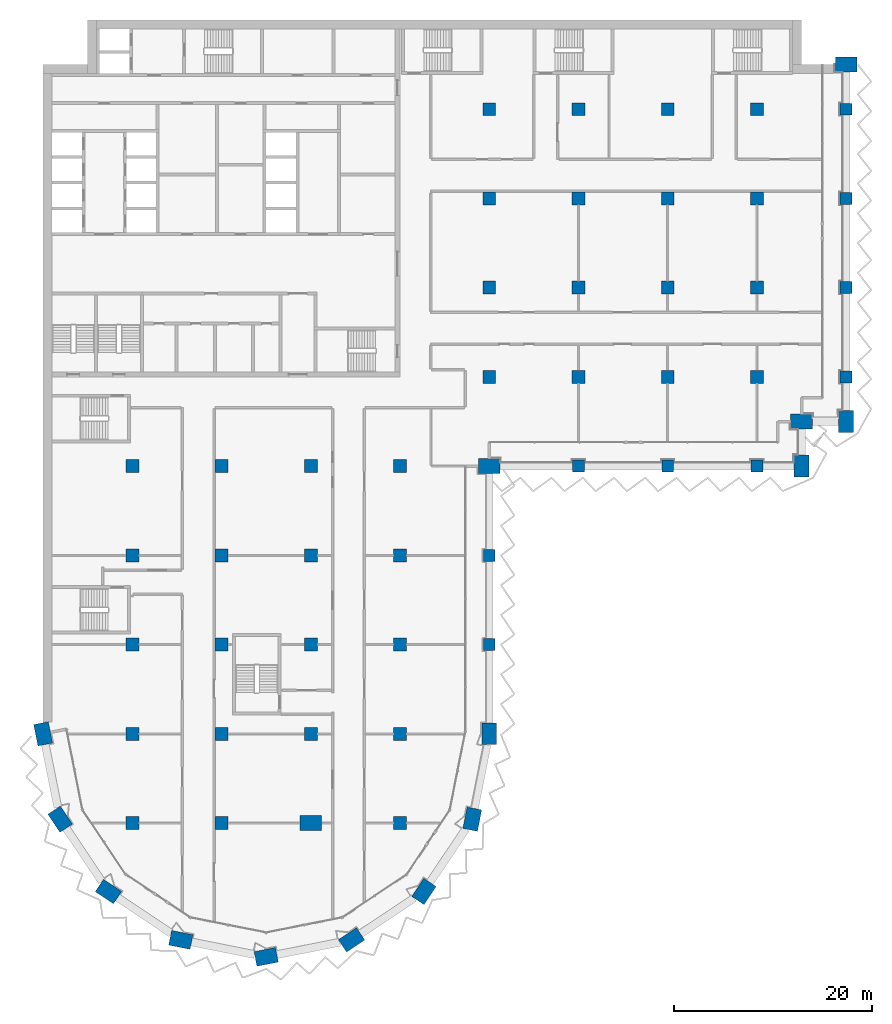
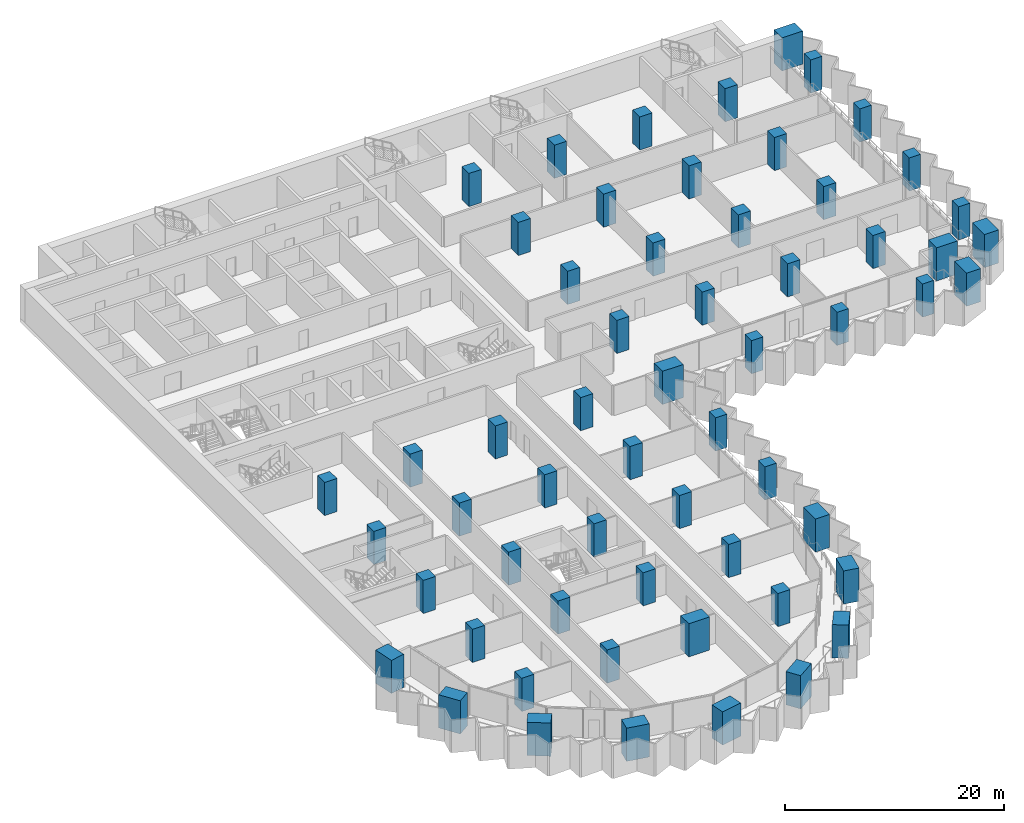
# One storey, part 1 of 22: 59 columns.
"""IFC4 building model written with IfcOpenShell, lengths in metres."""

import ifcopenshell
import ifcopenshell.guid

model = None  # the IFC model being written
_history = None  # IfcOwnerHistory: only IFC2X3 demands one
_inside = {}  # id of a spatial element -> (the spatial element, [elements in it])
_under = {}  # id of a project, library or spatial element -> (it, [spatial elements below it])
_declared = {}  # id of a project -> (the project, [libraries it declares])
_typed = {}  # id of a type object -> (the type object, [elements of that type])
_made_of = {}  # id of a material, layer set ... -> (it, [elements and type objects made of it])


def new_model(schema):
    """Start an empty IFC model of exactly this schema.

    Asked for "IFC4X3", IfcOpenShell would pick the latest addendum, in which some entities
    have other attributes; the version numbers below select the first issue.
    IFC2X3 requires an IfcOwnerHistory on every rooted entity: one is made here for all.
    """
    global model, _history
    if schema == "IFC4X3":
        model = ifcopenshell.file(schema_version=(4, 3, 0, 0))
    else:
        model = ifcopenshell.file(schema=schema)
    _inside.clear()
    _under.clear()
    _declared.clear()
    _typed.clear()
    _made_of.clear()
    _history = None
    if model.schema == "IFC2X3":
        org = make("IfcOrganization", Name="unknown")
        user = make(
            "IfcPersonAndOrganization",
            ThePerson=make("IfcPerson", FamilyName="unknown"),
            TheOrganization=org,
        )
        app = make(
            "IfcApplication",
            ApplicationDeveloper=org,
            Version="unknown",
            ApplicationFullName="unknown",
            ApplicationIdentifier="unknown",
        )
        _history = make(
            "IfcOwnerHistory",
            OwningUser=user,
            OwningApplication=app,
            ChangeAction="ADDED",
            CreationDate=0,
        )
    return model


def make(cls, **values):
    """One entity of the class cls with the attributes given. An attribute that is None is left unset."""
    return model.create_entity(
        cls, **{name: value for name, value in values.items() if value is not None}
    )


def rooted(cls, **values):
    """An entity with a GlobalId (a new one), such as an element, a storey or a relation."""
    return make(cls, GlobalId=ifcopenshell.guid.new(), OwnerHistory=_history, **values)


def si_unit(unit_type, name, prefix=None):
    """IfcSIUnit, for example si_unit("LENGTHUNIT", "METRE", prefix="MILLI")."""
    return make("IfcSIUnit", UnitType=unit_type, Prefix=prefix, Name=name)


def assignment(units):
    """IfcUnitAssignment: the units of a project."""
    return None if units is None else make("IfcUnitAssignment", Units=units)


def point(xyz):
    """IfcCartesianPoint."""
    return None if xyz is None else make("IfcCartesianPoint", Coordinates=xyz)


def direction(xyz):
    """IfcDirection."""
    return None if xyz is None else make("IfcDirection", DirectionRatios=xyz)


def frame(location, z_axis=None, x_axis=None):
    """IfcAxis2Placement3D, a coordinate frame: its origin and axes. An axis left out is left unset."""
    return make(
        "IfcAxis2Placement3D",
        Location=point(location),
        Axis=direction(z_axis),
        RefDirection=direction(x_axis),
    )


def frame_2d(location, x_axis=None):
    """IfcAxis2Placement2D, a coordinate frame in the plane: its origin and x axis."""
    return make(
        "IfcAxis2Placement2D", Location=point(location), RefDirection=direction(x_axis)
    )


def origin():
    """The frame at (0, 0, 0) with its axes left unset."""
    return frame((0.0, 0.0, 0.0))


def origin_2d():
    """The frame at (0, 0) in the plane with its x axis left unset."""
    return frame_2d((0.0, 0.0))


def place(relative_to, where):
    """IfcLocalPlacement: puts the frame where relative to a parent placement (None: the world)."""
    return make(
        "IfcLocalPlacement", PlacementRelTo=relative_to, RelativePlacement=where
    )


def context(
    kind, dimensions, precision=None, world=None, true_north=None, identifier=None
):
    """IfcGeometricRepresentationContext, for example the 3D "Model" context."""
    return make(
        "IfcGeometricRepresentationContext",
        ContextIdentifier=identifier,
        ContextType=kind,
        CoordinateSpaceDimension=dimensions,
        Precision=precision,
        WorldCoordinateSystem=world,
        TrueNorth=true_north,
    )


def subcontext(parent, identifier, kind, view, scale=None):
    """IfcGeometricRepresentationSubContext, for example "Body" below "Model"."""
    return make(
        "IfcGeometricRepresentationSubContext",
        ContextIdentifier=identifier,
        ContextType=kind,
        ParentContext=parent,
        TargetScale=scale,
        TargetView=view,
    )


def project(units=None, contexts=None):
    """IfcProject with its units and contexts."""
    return rooted(
        "IfcProject",
        Name="project",
        RepresentationContexts=contexts,
        UnitsInContext=assignment(units),
    )


def spatial(cls, under=None, at=None, **own):
    """A site, building, storey or space (cls), placed at a placement, below another one or the project."""
    s = rooted(cls, ObjectPlacement=at, **own)
    if under is not None:
        _under.setdefault(under.id(), (under, []))[1].append(s)
    return s


def profile(cls, at=None, kind="AREA", **sizes):
    """A parametric profile (cls). Its sizes go by their IFC names, for example OverallWidth=200.0."""
    return make(cls, ProfileType=kind, Position=at, **sizes)


def rectangle(**sizes):
    """IfcRectangleProfileDef."""
    return profile("IfcRectangleProfileDef", **sizes)


def extrude(swept, where, along, depth):
    """IfcExtrudedAreaSolid: the profile swept, set in the frame where, extruded along a direction by depth."""
    return make(
        "IfcExtrudedAreaSolid",
        SweptArea=swept,
        Position=where,
        ExtrudedDirection=direction(along),
        Depth=depth,
    )


def shape(context_of_items, identifier, shape_type, items):
    """IfcShapeRepresentation: the items that make up one representation, for example the "Body"."""
    return make(
        "IfcShapeRepresentation",
        ContextOfItems=context_of_items,
        RepresentationIdentifier=identifier,
        RepresentationType=shape_type,
        Items=items,
    )


def material(Name=None, Category=None):
    """IfcMaterial."""
    return make("IfcMaterial", Name=Name, Category=Category)


def material_profile(
    of_material, cross_section, Name=None, Category=None, Priority=None
):
    """IfcMaterialProfile: a cross section and its material."""
    return make(
        "IfcMaterialProfile",
        Name=Name,
        Material=of_material,
        Profile=cross_section,
        Priority=Priority,
        Category=Category,
    )


def profile_set(profiles, Name=None, composite=None):
    """IfcMaterialProfileSet."""
    return make(
        "IfcMaterialProfileSet",
        Name=Name,
        MaterialProfiles=profiles,
        CompositeProfile=composite,
    )


def made_of(thing, what):
    """Note that an element or type object is made of a material, layer set ...; save() writes the relation."""
    if what is not None:
        _made_of.setdefault(what.id(), (what, []))[1].append(thing)
    return thing


def type_object(cls, material=None, **own):
    """A type object (cls), such as IfcWallType, which elements share."""
    return made_of(rooted(cls, **own), material)


def element(
    cls,
    number,
    at=None,
    inside=None,
    cuts=None,
    type_object=None,
    material=None,
    context=None,
    identifier="Body",
    shape_type=None,
    held_by="IfcProductDefinitionShape",
    body=None,
    shapes=None,
    **own,
):
    """One element of the class cls, such as IfcWall. Its Tag is "e" and its number.

    at: its placement. inside: the storey or other place that contains it. cuts: it is an
    opening in that element (IfcRelVoidsElement). A single representation is given by context,
    identifier, shape_type and body (its items); several are given by shapes. held_by: the class
    of the entity that holds the representations. save() writes the other relations.
    """
    e = rooted(cls, Tag="e%d" % number, ObjectPlacement=at, **own)
    if body is not None:
        shapes = [shape(context, identifier, shape_type, body)]
    if shapes is not None:
        e.Representation = make(held_by, Representations=shapes)
    if inside is not None:
        _inside.setdefault(inside.id(), (inside, []))[1].append(e)
    if cuts is not None:
        rooted(
            "IfcRelVoidsElement", RelatingBuildingElement=cuts, RelatedOpeningElement=e
        )
    if type_object is not None:
        _typed.setdefault(type_object.id(), (type_object, []))[1].append(e)
    return made_of(e, material)


def aggregate(whole, parts):
    """IfcRelAggregates: a whole, such as a stair, and the parts it consists of."""
    return rooted("IfcRelAggregates", RelatingObject=whole, RelatedObjects=parts)


def save(model, path):
    """Write the relations noted so far, then the file.

    IfcRelAggregates (storeys below a building ...), IfcRelContainedInSpatialStructure (elements
    in a storey), IfcRelDefinesByType, IfcRelAssociatesMaterial and IfcRelDeclares: one each for
    every whole, place, type object, material and project.
    """
    for whole, parts in _under.values():
        aggregate(whole, parts)
    for where, things in _inside.values():
        rooted(
            "IfcRelContainedInSpatialStructure",
            RelatedElements=things,
            RelatingStructure=where,
        )
    for kind, things in _typed.values():
        rooted("IfcRelDefinesByType", RelatedObjects=things, RelatingType=kind)
    for what, things in _made_of.values():
        rooted("IfcRelAssociatesMaterial", RelatedObjects=things, RelatingMaterial=what)
    for by, libraries in _declared.values():
        rooted("IfcRelDeclares", RelatingContext=by, RelatedDefinitions=libraries)
    model.write(path)


model = new_model("IFC4")

# Units and contexts
model_context = context("Model", 3, precision=1e-05, world=origin(), true_north=direction((0.0, 1.0)))
body_context = subcontext(model_context, "Body", "Model", "MODEL_VIEW")
ifc_project = project(units=[si_unit("LENGTHUNIT", "METRE"), si_unit("AREAUNIT", "SQUARE_METRE"), si_unit("VOLUMEUNIT", "CUBIC_METRE"), si_unit("PLANEANGLEUNIT", "RADIAN"), si_unit("MASSUNIT", "GRAM", prefix="KILO")], contexts=[model_context])

# Site, building, storey
site_placement = place(None, origin())
site = spatial("IfcSite", under=ifc_project, at=site_placement, CompositionType="ELEMENT")
building_placement = place(site_placement, origin())
building = spatial("IfcBuilding", under=site, at=building_placement, Name="Hunhe Ridgeline Campus", CompositionType="ELEMENT")
storey_placement = place(building_placement, frame((0.0, 0.0, 118.10009765625)))
storey = spatial("IfcBuildingStorey", under=building, at=storey_placement, Name="L29", CompositionType="ELEMENT", Elevation=118.10009765625)

# Columns
ifc_material = material(Name="Concrete C70", Category="concrete")
ifc_material_profile_1 = material_profile(ifc_material, rectangle(XDim=2.199951171875, YDim=1.5, at=origin_2d()))
ifc_profile_set_1 = profile_set([ifc_material_profile_1], Name="Concrete C70")
column_type_1 = type_object("IfcColumnType", Name="Megacolumn 2200x1500 Concrete C70", PredefinedType="COLUMN", material=ifc_profile_set_1)
for number, where, z_axis, x_axis, name in (
    (1, (22.5, 4.5, 0.0), (0.0, 0.0, 1.0), (0.980785280403, 0.195090322016, 0.0), "Column C6 R1 L29"),
    (2, (13.8896484375, 6.212646484375, 0.0), (0.0, 0.0, 1.0), (-0.980785280403, 0.195090322016, 0.0), "Column C6 R2 L29"),
    (3, (31.1103515625, 6.212646484375, 0.0), (0.0, 0.0, 1.0), (0.831469612303, 0.55557023302, 0.0), "Column C6 R3 L29"),
    (4, (6.590087890625, 11.090087890625, 0.0), (0.0, 0.0, 1.0), (-0.831469612303, 0.55557023302, 0.0), "Column C6 R4 L29"),
    (5, (38.409912109375, 11.090087890625, 0.0), (0.0, 0.0, 1.0), (0.55557023302, 0.831469612303, 0.0), "Column C6 R5 L29"),
    (6, (1.712646484375, 18.3896484375, 0.0), (0.0, 0.0, 1.0), (-0.55557023302, 0.831469612303, 0.0), "Column C6 R9 L29"),
    (7, (43.287353515625, 18.3896484375, 0.0), (0.0, 0.0, 1.0), (0.195090322016, 0.980785280403, 0.0), "Column C6 R10 L29"),
    (8, (0.0, 27.0, 0.0), (0.0, 0.0, 1.0), (-0.195090322016, 0.980785280403, 0.0), "Column C6 D1 L29"),
    (9, (45.0, 27.0, 0.0), (0.0, 0.0, 1.0), (0.0, 1.0, 0.0), "Column C6 D6 L29"),
    (10, (45.0, 54.0, 0.0), (0.0, 0.0, 1.0), (1.0, 0.0, 0.0), "Column C6 G6 L29"),
    (11, (76.5, 54.0, 0.0), (0.0, 0.0, 1.0), (0.0, 1.0, 0.0), "Column C6 R31 L29"),
    (12, (76.5, 58.5, 0.0), (0.0, 0.0, 1.0), (1.0, 0.0, 0.0), "Column C6 R37 L29"),
    (13, (81.0, 58.5, 0.0), (0.0, 0.0, 1.0), (0.0, 1.0, 0.0), "Column C6 R38 L29"),
    (14, (81.0, 94.5, 0.0), (0.0, 0.0, 1.0), (1.0, 0.0, 0.0), "Column C6 R43 L29"),
    (15, (27.0, 18.0, 0.0), (0.0, 0.0, 1.0), (1.0, 0.0, 0.0), "Column C6 C4 L29"),
):
    element("IfcColumn", number, at=place(storey_placement, frame(where, z_axis=z_axis, x_axis=x_axis)), inside=storey, type_object=column_type_1, Name=name, PredefinedType="COLUMN", context=body_context, shape_type="SweptSolid", body=[
        extrude(rectangle(XDim=2.199951171875, YDim=1.5, at=origin_2d()), origin(), (0.0, 0.0, 1.0), 3.699951171875),
    ])
ifc_material_profile_2 = material_profile(ifc_material, rectangle(XDim=1.199951171875, YDim=1.199951171875, at=origin_2d()))
ifc_profile_set_2 = profile_set([ifc_material_profile_2], Name="Concrete C70")
column_type_2 = type_object("IfcColumnType", Name="RC column 1200x1200 Concrete C70", PredefinedType="COLUMN", material=ifc_profile_set_2)
for number, where, z_axis, x_axis, name in (
    (16, (45.0, 36.0, 0.0), (0.0, 0.0, 1.0), (1.0, 0.0, 0.0), "Column C7 E6 L29"),
    (17, (45.0, 45.0, 0.0), (0.0, 0.0, 1.0), (1.0, 0.0, 0.0), "Column C7 F6 L29"),
    (18, (54.0, 54.0, 0.0), (0.0, 0.0, 1.0), (1.0, 0.0, 0.0), "Column C7 G7 L29"),
    (19, (63.0, 54.0, 0.0), (0.0, 0.0, 1.0), (1.0, 0.0, 0.0), "Column C7 G8 L29"),
    (20, (72.0, 54.0, 0.0), (0.0, 0.0, 1.0), (1.0, 0.0, 0.0), "Column C7 G9 L29"),
    (21, (81.0, 63.0, 0.0), (0.0, 0.0, 1.0), (1.0, 0.0, 0.0), "Column C7 H10 L29"),
    (22, (81.0, 72.0, 0.0), (0.0, 0.0, 1.0), (1.0, 0.0, 0.0), "Column C7 I10 L29"),
    (23, (81.0, 81.0, 0.0), (0.0, 0.0, 1.0), (1.0, 0.0, 0.0), "Column C7 J10 L29"),
    (24, (81.0, 90.0, 0.0), (0.0, 0.0, 1.0), (1.0, 0.0, 0.0), "Column C7 K10 L29"),
):
    element("IfcColumn", number, at=place(storey_placement, frame(where, z_axis=z_axis, x_axis=x_axis)), inside=storey, type_object=column_type_2, Name=name, PredefinedType="COLUMN", context=body_context, shape_type="SweptSolid", body=[
        extrude(rectangle(XDim=1.199951171875, YDim=1.199951171875, at=origin_2d()), origin(), (0.0, 0.0, 1.0), 3.699951171875),
    ])
ifc_material_profile_3 = material_profile(ifc_material, rectangle(XDim=1.300048828125, YDim=1.300048828125, at=origin_2d()))
ifc_profile_set_3 = profile_set([ifc_material_profile_3], Name="Concrete C70")
column_type_3 = type_object("IfcColumnType", Name="RC column 1300x1300 Concrete C70", PredefinedType="COLUMN", material=ifc_profile_set_3)
for number, where, z_axis, x_axis, name in (
    (25, (9.0, 18.0, 0.0), (0.0, 0.0, 1.0), (1.0, 0.0, 0.0), "Column C8 C2 L29"),
    (26, (9.0, 27.0, 0.0), (0.0, 0.0, 1.0), (1.0, 0.0, 0.0), "Column C8 D2 L29"),
    (27, (9.0, 36.0, 0.0), (0.0, 0.0, 1.0), (1.0, 0.0, 0.0), "Column C8 E2 L29"),
    (28, (9.0, 45.0, 0.0), (0.0, 0.0, 1.0), (1.0, 0.0, 0.0), "Column C8 F2 L29"),
    (29, (9.0, 54.0, 0.0), (0.0, 0.0, 1.0), (1.0, 0.0, 0.0), "Column C8 G2 L29"),
    (30, (18.0, 18.0, 0.0), (0.0, 0.0, 1.0), (1.0, 0.0, 0.0), "Column C8 C3 L29"),
    (31, (18.0, 27.0, 0.0), (0.0, 0.0, 1.0), (1.0, 0.0, 0.0), "Column C8 D3 L29"),
    (32, (18.0, 36.0, 0.0), (0.0, 0.0, 1.0), (1.0, 0.0, 0.0), "Column C8 E3 L29"),
    (33, (18.0, 45.0, 0.0), (0.0, 0.0, 1.0), (1.0, 0.0, 0.0), "Column C8 F3 L29"),
    (34, (18.0, 54.0, 0.0), (0.0, 0.0, 1.0), (1.0, 0.0, 0.0), "Column C8 G3 L29"),
    (35, (27.0, 27.0, 0.0), (0.0, 0.0, 1.0), (1.0, 0.0, 0.0), "Column C8 D4 L29"),
    (36, (27.0, 36.0, 0.0), (0.0, 0.0, 1.0), (1.0, 0.0, 0.0), "Column C8 E4 L29"),
    (37, (27.0, 45.0, 0.0), (0.0, 0.0, 1.0), (1.0, 0.0, 0.0), "Column C8 F4 L29"),
    (38, (27.0, 54.0, 0.0), (0.0, 0.0, 1.0), (1.0, 0.0, 0.0), "Column C8 G4 L29"),
    (39, (36.0, 18.0, 0.0), (0.0, 0.0, 1.0), (1.0, 0.0, 0.0), "Column C8 C5 L29"),
    (40, (36.0, 27.0, 0.0), (0.0, 0.0, 1.0), (1.0, 0.0, 0.0), "Column C8 D5 L29"),
    (41, (36.0, 36.0, 0.0), (0.0, 0.0, 1.0), (1.0, 0.0, 0.0), "Column C8 E5 L29"),
    (42, (36.0, 45.0, 0.0), (0.0, 0.0, 1.0), (1.0, 0.0, 0.0), "Column C8 F5 L29"),
    (43, (36.0, 54.0, 0.0), (0.0, 0.0, 1.0), (1.0, 0.0, 0.0), "Column C8 G5 L29"),
    (44, (45.0, 63.0, 0.0), (0.0, 0.0, 1.0), (1.0, 0.0, 0.0), "Column C8 H6 L29"),
    (45, (45.0, 72.0, 0.0), (0.0, 0.0, 1.0), (1.0, 0.0, 0.0), "Column C8 I6 L29"),
    (46, (45.0, 81.0, 0.0), (0.0, 0.0, 1.0), (1.0, 0.0, 0.0), "Column C8 J6 L29"),
    (47, (45.0, 90.0, 0.0), (0.0, 0.0, 1.0), (1.0, 0.0, 0.0), "Column C8 K6 L29"),
    (48, (54.0, 63.0, 0.0), (0.0, 0.0, 1.0), (1.0, 0.0, 0.0), "Column C8 H7 L29"),
    (49, (54.0, 72.0, 0.0), (0.0, 0.0, 1.0), (1.0, 0.0, 0.0), "Column C8 I7 L29"),
    (50, (54.0, 81.0, 0.0), (0.0, 0.0, 1.0), (1.0, 0.0, 0.0), "Column C8 J7 L29"),
    (51, (54.0, 90.0, 0.0), (0.0, 0.0, 1.0), (1.0, 0.0, 0.0), "Column C8 K7 L29"),
    (52, (63.0, 63.0, 0.0), (0.0, 0.0, 1.0), (1.0, 0.0, 0.0), "Column C8 H8 L29"),
    (53, (63.0, 72.0, 0.0), (0.0, 0.0, 1.0), (1.0, 0.0, 0.0), "Column C8 I8 L29"),
    (54, (63.0, 81.0, 0.0), (0.0, 0.0, 1.0), (1.0, 0.0, 0.0), "Column C8 J8 L29"),
    (55, (63.0, 90.0, 0.0), (0.0, 0.0, 1.0), (1.0, 0.0, 0.0), "Column C8 K8 L29"),
    (56, (72.0, 63.0, 0.0), (0.0, 0.0, 1.0), (1.0, 0.0, 0.0), "Column C8 H9 L29"),
    (57, (72.0, 72.0, 0.0), (0.0, 0.0, 1.0), (1.0, 0.0, 0.0), "Column C8 I9 L29"),
    (58, (72.0, 81.0, 0.0), (0.0, 0.0, 1.0), (1.0, 0.0, 0.0), "Column C8 J9 L29"),
    (59, (72.0, 90.0, 0.0), (0.0, 0.0, 1.0), (1.0, 0.0, 0.0), "Column C8 K9 L29"),
):
    element("IfcColumn", number, at=place(storey_placement, frame(where, z_axis=z_axis, x_axis=x_axis)), inside=storey, type_object=column_type_3, Name=name, PredefinedType="COLUMN", context=body_context, shape_type="SweptSolid", body=[
        extrude(rectangle(XDim=1.300048828125, YDim=1.300048828125, at=origin_2d()), origin(), (0.0, 0.0, 1.0), 3.699951171875),
    ])

save(model, "model.ifc")
